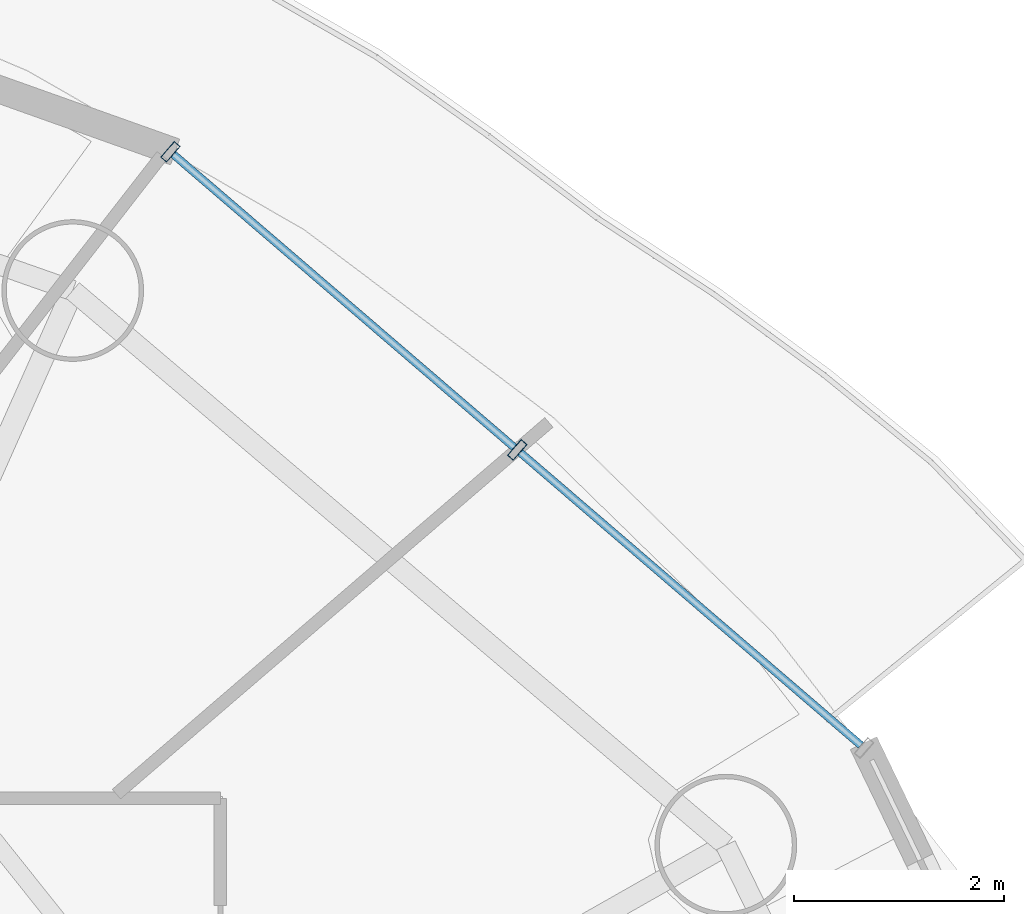
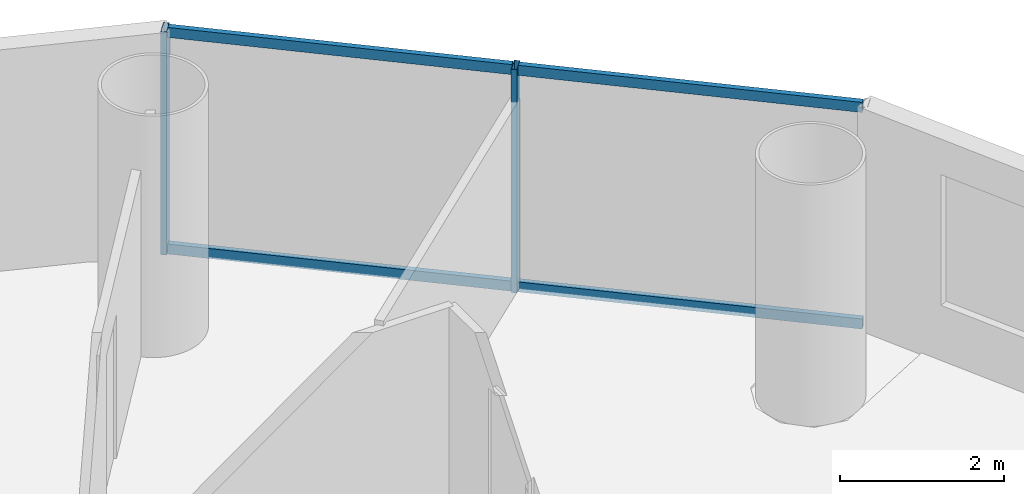
# One storey, part 18 of 26: 6 members, 1 element without a shape of its own.
"""IFC4 building model written with IfcOpenShell, lengths in metres."""

from ifc_helpers import new_model, si_unit, direction, frame, origin, origin_2d, place, context, subcontext, project, spatial, hollow_rectangle, extrude, source, transform, mapped, material, material_profile, profile_set, type_object, element, aggregate, save


model = new_model("IFC4")

# Units and contexts
model_context = context("Model", 3, precision=1e-05, world=origin(), true_north=direction((-0.2419218956, 0.970295726276)))
body_context = subcontext(model_context, "Body", "Model", "MODEL_VIEW")
ifc_project = project(units=[si_unit("LENGTHUNIT", "METRE"), si_unit("AREAUNIT", "SQUARE_METRE"), si_unit("VOLUMEUNIT", "CUBIC_METRE"), si_unit("PLANEANGLEUNIT", "RADIAN"), si_unit("MASSUNIT", "GRAM", prefix="KILO")], contexts=[model_context])

# Site, building, storey
site_placement = place(None, origin())
site = spatial("IfcSite", under=ifc_project, at=site_placement, CompositionType="ELEMENT")
building_placement = place(site_placement, origin())
building = spatial("IfcBuilding", under=site, at=building_placement, Name="Cobrevalo Terracotta Tower", CompositionType="ELEMENT")
storey_placement = place(building_placement, frame((0.0, 0.0, 142.60009765625)))
storey = spatial("IfcBuildingStorey", under=building, at=storey_placement, Name="L37", CompositionType="ELEMENT", Elevation=142.60009765625)

# Curtain wall, members
ifc_material = material(Name="Anodized aluminium", Category="aluminium")
curtain_wall_type = type_object("IfcCurtainWallType", Name="Mid-tower high-wind unitised curtain wall CW-U2", PredefinedType="NOTDEFINED", material=ifc_material)
curtain_wall_placement = place(storey_placement, origin())
curtain_wall = element("IfcCurtainWall", 1, at=curtain_wall_placement, inside=storey, type_object=curtain_wall_type, Name="L37 curtain wall CW-L37-S02", PredefinedType="NOTDEFINED")
ifc_material_profile_1 = material_profile(ifc_material, hollow_rectangle(XDim=0.074951171875, YDim=0.14990234375, WallThickness=0.00439453125, at=origin_2d()), Name="CWT 75x150")
ifc_profile_set_1 = profile_set([ifc_material_profile_1], Name="Anodized aluminium")
member_type_1 = type_object("IfcMemberType", Name="Tower unitised aluminium transom 75x150", PredefinedType="USERDEFINED", material=ifc_profile_set_1)
shared_shape_1 = source(origin(), body_context, "Body", "SweptSolid", [
    extrude(hollow_rectangle(XDim=0.074951171875, YDim=0.14990234375, WallThickness=0.00439453125, at=origin_2d()), origin(), (0.0, 0.0, 1.0), 4.276123046875),
])
member_1_placement = place(storey_placement, frame((58.035888671875, 38.391357421875, 0.0498046875), z_axis=(-0.758445941187, 0.65173595443, 0.0), x_axis=(-0.65173595443, -0.758445941187, 0.0)))
member_1 = element("IfcMember", 2, at=member_1_placement, type_object=member_type_1, Name="CW-L37-S02 transom B01-T1", ObjectType="TRANSOM", PredefinedType="USERDEFINED", context=body_context, shape_type="MappedRepresentation", body=[
    mapped(shared_shape_1, transform((0.0, 0.0, 0.0), scale=1.0)),
])
member_2_placement = place(storey_placement, frame((58.035888671875, 38.391357421875, 3.27978515625), z_axis=(-0.758445941187, 0.65173595443, 0.0), x_axis=(-0.65173595443, -0.758445941187, 0.0)))
member_2 = element("IfcMember", 3, at=member_2_placement, type_object=member_type_1, Name="CW-L37-S02 transom B01-T2", ObjectType="TRANSOM", PredefinedType="USERDEFINED", context=body_context, shape_type="MappedRepresentation", body=[
    mapped(shared_shape_1, transform((0.0, 0.0, 0.0), scale=1.0)),
])
member_3_placement = place(storey_placement, frame((54.73193359375, 41.23046875, 0.0498046875), z_axis=(-0.758417719247, 0.651768795764, 0.0), x_axis=(-0.651768795764, -0.758417719247, 0.0)))
member_3 = element("IfcMember", 4, at=member_3_placement, type_object=member_type_1, Name="CW-L37-S02 transom B02-T1", ObjectType="TRANSOM", PredefinedType="USERDEFINED", context=body_context, shape_type="MappedRepresentation", body=[
    mapped(shared_shape_1, transform((0.0, 0.0, 0.0), scale=1.0)),
])
member_4_placement = place(storey_placement, frame((54.73193359375, 41.23046875, 3.27978515625), z_axis=(-0.758417719247, 0.651768795764, 0.0), x_axis=(-0.651768795764, -0.758417719247, 0.0)))
member_4 = element("IfcMember", 5, at=member_4_placement, type_object=member_type_1, Name="CW-L37-S02 transom B02-T2", ObjectType="TRANSOM", PredefinedType="USERDEFINED", context=body_context, shape_type="MappedRepresentation", body=[
    mapped(shared_shape_1, transform((0.0, 0.0, 0.0), scale=1.0)),
])
ifc_material_profile_2 = material_profile(ifc_material, hollow_rectangle(XDim=0.074951171875, YDim=0.199951171875, WallThickness=0.0048828125, at=origin_2d()), Name="CWM 75x200")
ifc_profile_set_2 = profile_set([ifc_material_profile_2], Name="Anodized aluminium")
member_type_2 = type_object("IfcMemberType", Name="Lower/mid tower unitised mullion 75x200", PredefinedType="MULLION", material=ifc_profile_set_2)
shared_shape_2 = source(origin(), body_context, "Body", "SweptSolid", [
    extrude(hollow_rectangle(XDim=0.074951171875, YDim=0.199951171875, WallThickness=0.0048828125, at=origin_2d()), origin(), (0.0, 0.0, 1.0), 3.329833984375),
])
member_5_placement = place(storey_placement, frame((54.762451171875, 41.204345703125, 0.0), z_axis=(0.0, 0.0, 1.0), x_axis=(-0.758441546142, 0.65174106905, 0.0)))
member_5 = element("IfcMember", 6, at=member_5_placement, type_object=member_type_2, Name="CW-L37-S02 vertical mullion 02", PredefinedType="MULLION", context=body_context, shape_type="MappedRepresentation", body=[
    mapped(shared_shape_2, transform((0.0, 0.0, 0.0), scale=1.0)),
])
member_6_placement = place(storey_placement, frame((51.45849609375, 44.04345703125, 0.0), z_axis=(0.0, 0.0, 1.0), x_axis=(-0.758441546142, 0.65174106905, 0.0)))
member_6 = element("IfcMember", 7, at=member_6_placement, type_object=member_type_2, Name="CW-L37-S02 vertical mullion 03", PredefinedType="MULLION", context=body_context, shape_type="MappedRepresentation", body=[
    mapped(shared_shape_2, transform((0.0, 0.0, 0.0), scale=1.0)),
])
aggregate(curtain_wall, [member_5, member_6, member_1, member_2, member_3, member_4])

save(model, "model.ifc")
